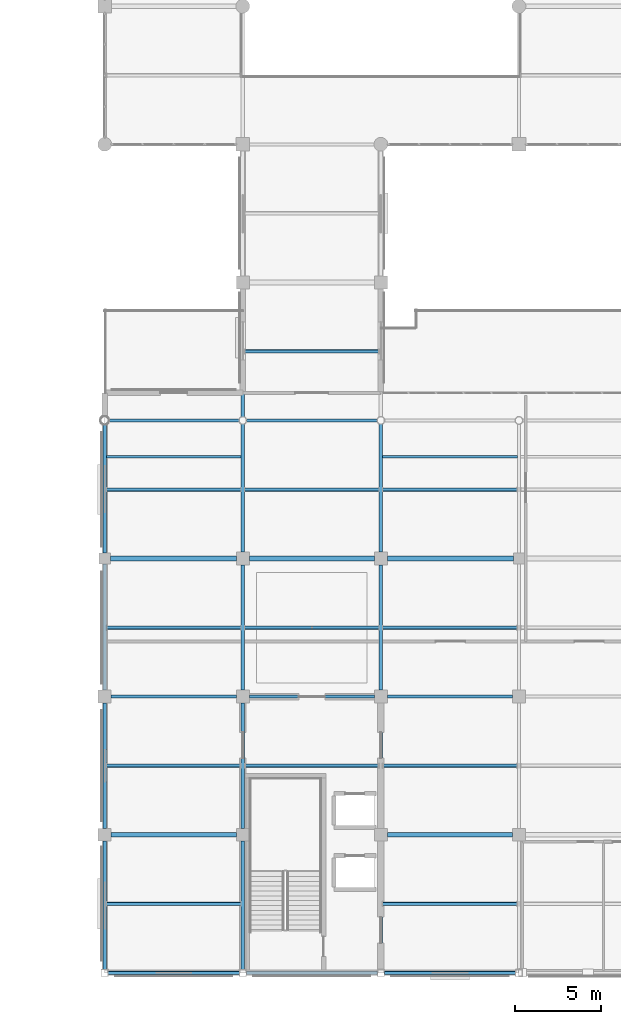
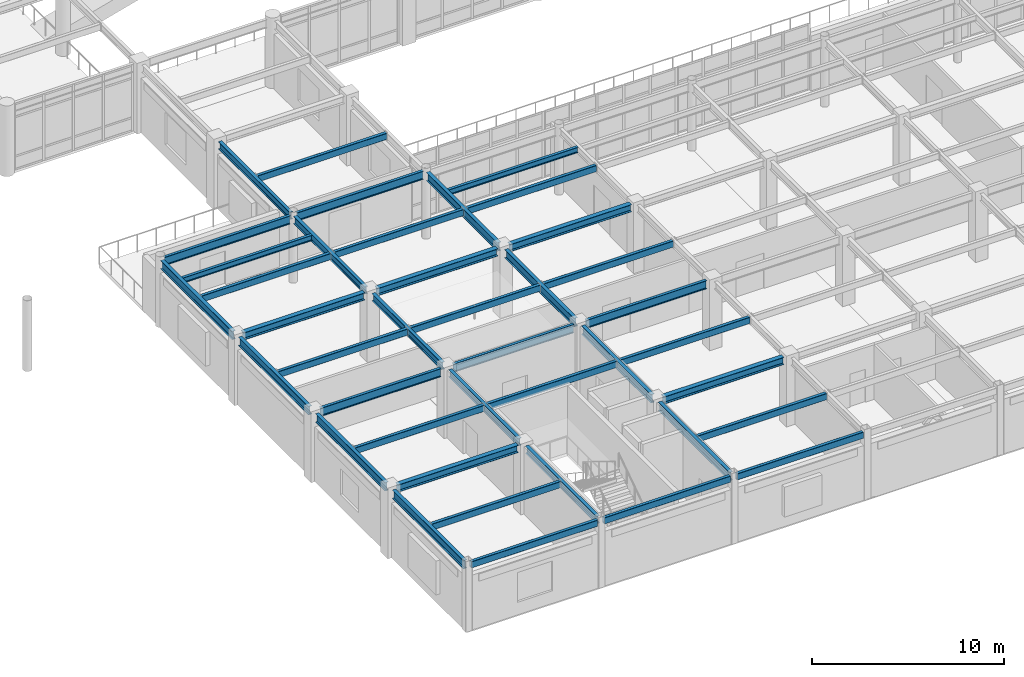
# One storey, part 17 of 93: 40 beams.
"""IFC4 building model written with IfcOpenShell, lengths in metres."""

from ifc_helpers import new_model, si_unit, direction, frame, origin, origin_2d, place, context, subcontext, project, spatial, hollow_rectangle, i_section, extrude, material, material_profile, profile_set, type_object, element, save


model = new_model("IFC4")

# Units and contexts
model_context = context("Model", 3, precision=1e-05, world=origin(), true_north=direction((0.0, 1.0)))
body_context = subcontext(model_context, "Body", "Model", "MODEL_VIEW")
ifc_project = project(units=[si_unit("LENGTHUNIT", "METRE"), si_unit("AREAUNIT", "SQUARE_METRE"), si_unit("VOLUMEUNIT", "CUBIC_METRE"), si_unit("PLANEANGLEUNIT", "RADIAN"), si_unit("MASSUNIT", "GRAM", prefix="KILO")], contexts=[model_context])

# Site, building, storey
site_placement = place(None, origin())
site = spatial("IfcSite", under=ifc_project, at=site_placement, CompositionType="ELEMENT")
building_placement = place(site_placement, origin())
building = spatial("IfcBuilding", under=site, at=building_placement, Name="Solmirada Galleria", CompositionType="ELEMENT")
storey_placement = place(building_placement, frame((0.0, 0.0, 14.89990234375)))
storey = spatial("IfcBuildingStorey", under=building, at=storey_placement, Name="L03", CompositionType="ELEMENT", Elevation=14.89990234375)

# Beams
ifc_material_1 = material(Name="Steel S355 / ASTM A992 Grade 50", Category="steel")
ifc_material_profile_1 = material_profile(ifc_material_1, i_section(OverallWidth=0.281982421875, OverallDepth=0.467041015625, WebThickness=0.01220703125, FlangeThickness=0.01953125, FilletRadius=0.013916015625, at=origin_2d()), Name="W18X86")
ifc_profile_set_1 = profile_set([ifc_material_profile_1], Name="Steel S355 / ASTM A992 Grade 50")
beam_type_1 = type_object("IfcBeamType", Name="BM-GIRD-W18A", PredefinedType="BEAM", material=ifc_profile_set_1)
beam_1_placement = place(storey_placement, frame((80.375, 8.0, 4.066650390625), z_axis=(1.0, 0.0, 0.0), x_axis=(0.0, 1.0, 0.0)))
element("IfcBeam", 1, at=beam_1_placement, inside=storey, type_object=beam_type_1, Name="Primary beam L04 X(80..88, 8)", PredefinedType="BEAM", context=body_context, shape_type="SweptSolid", body=[
    extrude(i_section(OverallWidth=0.281982421875, OverallDepth=0.467041015625, WebThickness=0.01220703125, FlangeThickness=0.01953125, FilletRadius=0.013916015625, at=origin_2d()), origin(), (0.0, 0.0, 1.0), 7.25),
])
beam_2_placement = place(storey_placement, frame((80.324951171875, 24.0, 4.066650390625), z_axis=(1.0, 0.0, 0.0), x_axis=(0.0, 1.0, 0.0)))
element("IfcBeam", 2, at=beam_2_placement, inside=storey, type_object=beam_type_1, Name="Primary beam L04 X(80..88, 24)", PredefinedType="BEAM", context=body_context, shape_type="SweptSolid", body=[
    extrude(i_section(OverallWidth=0.281982421875, OverallDepth=0.467041015625, WebThickness=0.01220703125, FlangeThickness=0.01953125, FilletRadius=0.013916015625, at=origin_2d()), origin(), (0.0, 0.0, 1.0), 7.300048828125),
])
for number, where, z_axis, x_axis, name in (
    (3, (88.375, 24.0, 4.066650390625), (1.0, 0.0, 0.0), (0.0, 1.0, 0.0), "Primary beam L04 X(88..96, 24)"),
    (4, (96.375, 8.0, 4.066650390625), (1.0, 0.0, 0.0), (0.0, 1.0, 0.0), "Primary beam L04 X(96..104, 8)"),
):
    element("IfcBeam", number, at=place(storey_placement, frame(where, z_axis=z_axis, x_axis=x_axis)), inside=storey, type_object=beam_type_1, Name=name, PredefinedType="BEAM", context=body_context, shape_type="SweptSolid", body=[
        extrude(i_section(OverallWidth=0.281982421875, OverallDepth=0.467041015625, WebThickness=0.01220703125, FlangeThickness=0.01953125, FilletRadius=0.013916015625, at=origin_2d()), origin(), (0.0, 0.0, 1.0), 7.25),
    ])
beam_3_placement = place(storey_placement, frame((96.375, 24.0, 4.066650390625), z_axis=(1.0, 0.0, 0.0), x_axis=(0.0, 1.0, 0.0)))
element("IfcBeam", 5, at=beam_3_placement, inside=storey, type_object=beam_type_1, Name="Primary beam L04 X(96..104, 24)", PredefinedType="BEAM", context=body_context, shape_type="SweptSolid", body=[
    extrude(i_section(OverallWidth=0.281982421875, OverallDepth=0.467041015625, WebThickness=0.01220703125, FlangeThickness=0.01953125, FilletRadius=0.013916015625, at=origin_2d()), origin(), (0.0, 0.0, 1.0), 7.300048828125),
])
ifc_material_profile_2 = material_profile(ifc_material_1, i_section(OverallWidth=0.194091796875, OverallDepth=0.468994140625, WebThickness=0.0126953125, FlangeThickness=0.0205078125, FilletRadius=0.013916015625, at=origin_2d()), Name="W18X71")
ifc_profile_set_2 = profile_set([ifc_material_profile_2], Name="Steel S355 / ASTM A992 Grade 50")
beam_type_2 = type_object("IfcBeamType", Name="BM-GIRD-W18B", PredefinedType="BEAM", material=ifc_profile_set_2)
beam_4_placement = place(storey_placement, frame((88.0, 0.202880859375, 4.065673828125), z_axis=(0.0, 1.0, 0.0), x_axis=(-1.0, 0.0, 0.0)))
element("IfcBeam", 6, at=beam_4_placement, inside=storey, type_object=beam_type_2, Name="Primary girder L04 Y(88, 0..8)", PredefinedType="BEAM", context=body_context, shape_type="SweptSolid", body=[
    extrude(i_section(OverallWidth=0.194091796875, OverallDepth=0.468994140625, WebThickness=0.0126953125, FlangeThickness=0.0205078125, FilletRadius=0.013916015625, at=origin_2d()), origin(), (0.0, 0.0, 1.0), 7.422119140625),
])
for number, where, z_axis, x_axis, name in (
    (7, (88.0, 8.375, 4.065673828125), (0.0, 1.0, 0.0), (-1.0, 0.0, 0.0), "Primary girder L04 Y(88, 8..16)"),
    (8, (88.0, 16.375, 4.065673828125), (0.0, 1.0, 0.0), (-1.0, 0.0, 0.0), "Primary girder L04 Y(88, 16..24)"),
):
    element("IfcBeam", number, at=place(storey_placement, frame(where, z_axis=z_axis, x_axis=x_axis)), inside=storey, type_object=beam_type_2, Name=name, PredefinedType="BEAM", context=body_context, shape_type="SweptSolid", body=[
        extrude(i_section(OverallWidth=0.194091796875, OverallDepth=0.468994140625, WebThickness=0.0126953125, FlangeThickness=0.0205078125, FilletRadius=0.013916015625, at=origin_2d()), origin(), (0.0, 0.0, 1.0), 7.25),
    ])
for number, where, z_axis, x_axis, name in (
    (9, (88.0, 24.375, 4.025634765625), (0.0, 1.0, 0.0), (-1.0, 0.0, 0.0), "Primary girder L04 Y(88, 24..32)"),
    (10, (88.0, 32.19189453125, 4.025634765625), (0.0, 1.0, 0.0), (-1.0, 0.0, 0.0), "Primary girder L04 Y(88, 32..40)"),
):
    element("IfcBeam", number, at=place(storey_placement, frame(where, z_axis=z_axis, x_axis=x_axis)), inside=storey, type_object=beam_type_2, Name=name, PredefinedType="BEAM", context=body_context, shape_type="SweptSolid", body=[
        extrude(i_section(OverallWidth=0.194091796875, OverallDepth=0.468994140625, WebThickness=0.0126953125, FlangeThickness=0.0205078125, FilletRadius=0.013916015625, at=origin_2d()), origin(), (0.0, 0.0, 1.0), 7.43310546875),
    ])
ifc_material_profile_3 = material_profile(ifc_material_1, i_section(OverallWidth=0.2099609375, OverallDepth=0.537109375, WebThickness=0.010986328125, FlangeThickness=0.017333984375, FilletRadius=0.014892578125, at=origin_2d()), Name="W21X68")
ifc_profile_set_3 = profile_set([ifc_material_profile_3], Name="Steel S355 / ASTM A992 Grade 50")
beam_type_3 = type_object("IfcBeamType", Name="BM-GIRD-W21B", PredefinedType="BEAM", material=ifc_profile_set_3)
beam_5_placement = place(storey_placement, frame((80.0, 0.202880859375, 4.031494140625), z_axis=(0.0, 1.0, 0.0), x_axis=(-1.0, 0.0, 0.0)))
element("IfcBeam", 11, at=beam_5_placement, inside=storey, type_object=beam_type_3, Name="Primary girder L04 Y(80, 0..8)", PredefinedType="BEAM", context=body_context, shape_type="SweptSolid", body=[
    extrude(i_section(OverallWidth=0.2099609375, OverallDepth=0.537109375, WebThickness=0.010986328125, FlangeThickness=0.017333984375, FilletRadius=0.014892578125, at=origin_2d()), origin(), (0.0, 0.0, 1.0), 7.422119140625),
])
beam_6_placement = place(storey_placement, frame((80.0, 8.375, 4.031494140625), z_axis=(0.0, 1.0, 0.0), x_axis=(-1.0, 0.0, 0.0)))
element("IfcBeam", 12, at=beam_6_placement, inside=storey, type_object=beam_type_3, Name="Primary girder L04 Y(80, 8..16)", PredefinedType="BEAM", context=body_context, shape_type="SweptSolid", body=[
    extrude(i_section(OverallWidth=0.2099609375, OverallDepth=0.537109375, WebThickness=0.010986328125, FlangeThickness=0.017333984375, FilletRadius=0.014892578125, at=origin_2d()), origin(), (0.0, 0.0, 1.0), 7.25),
])
beam_7_placement = place(storey_placement, frame((80.0, 16.375, 4.031494140625), z_axis=(0.0, 1.0, 0.0), x_axis=(-1.0, 0.0, 0.0)))
element("IfcBeam", 13, at=beam_7_placement, inside=storey, type_object=beam_type_3, Name="Primary girder L04 Y(80, 16..24)", PredefinedType="BEAM", context=body_context, shape_type="SweptSolid", body=[
    extrude(i_section(OverallWidth=0.2099609375, OverallDepth=0.537109375, WebThickness=0.010986328125, FlangeThickness=0.017333984375, FilletRadius=0.014892578125, at=origin_2d()), origin(), (0.0, 0.0, 1.0), 7.300048828125),
])
beam_8_placement = place(storey_placement, frame((80.0, 24.324951171875, 3.99169921875), z_axis=(0.0, 1.0, 0.0), x_axis=(-1.0, 0.0, 0.0)))
element("IfcBeam", 14, at=beam_8_placement, inside=storey, type_object=beam_type_3, Name="Primary girder L04 Y(80, 24..32)", PredefinedType="BEAM", context=body_context, shape_type="SweptSolid", body=[
    extrude(i_section(OverallWidth=0.2099609375, OverallDepth=0.537109375, WebThickness=0.010986328125, FlangeThickness=0.017333984375, FilletRadius=0.014892578125, at=origin_2d()), origin(), (0.0, 0.0, 1.0), 7.461669921875),
])
beam_9_placement = place(storey_placement, frame((96.0, 0.202880859375, 4.031494140625), z_axis=(0.0, 1.0, 0.0), x_axis=(-1.0, 0.0, 0.0)))
element("IfcBeam", 15, at=beam_9_placement, inside=storey, type_object=beam_type_3, Name="Primary girder L04 Y(96, 0..8)", PredefinedType="BEAM", context=body_context, shape_type="SweptSolid", body=[
    extrude(i_section(OverallWidth=0.2099609375, OverallDepth=0.537109375, WebThickness=0.010986328125, FlangeThickness=0.017333984375, FilletRadius=0.014892578125, at=origin_2d()), origin(), (0.0, 0.0, 1.0), 7.422119140625),
])
for number, where, z_axis, x_axis, name in (
    (16, (96.0, 8.375, 4.031494140625), (0.0, 1.0, 0.0), (-1.0, 0.0, 0.0), "Primary girder L04 Y(96, 8..16)"),
    (17, (96.0, 16.375, 4.031494140625), (0.0, 1.0, 0.0), (-1.0, 0.0, 0.0), "Primary girder L04 Y(96, 16..24)"),
):
    element("IfcBeam", number, at=place(storey_placement, frame(where, z_axis=z_axis, x_axis=x_axis)), inside=storey, type_object=beam_type_3, Name=name, PredefinedType="BEAM", context=body_context, shape_type="SweptSolid", body=[
        extrude(i_section(OverallWidth=0.2099609375, OverallDepth=0.537109375, WebThickness=0.010986328125, FlangeThickness=0.017333984375, FilletRadius=0.014892578125, at=origin_2d()), origin(), (0.0, 0.0, 1.0), 7.25),
    ])
beam_10_placement = place(storey_placement, frame((96.0, 24.375, 3.99169921875), z_axis=(0.0, 1.0, 0.0), x_axis=(-1.0, 0.0, 0.0)))
element("IfcBeam", 18, at=beam_10_placement, inside=storey, type_object=beam_type_3, Name="Primary girder L04 Y(96, 24..32)", PredefinedType="BEAM", context=body_context, shape_type="SweptSolid", body=[
    extrude(i_section(OverallWidth=0.2099609375, OverallDepth=0.537109375, WebThickness=0.010986328125, FlangeThickness=0.017333984375, FilletRadius=0.014892578125, at=origin_2d()), origin(), (0.0, 0.0, 1.0), 7.43310546875),
])
ifc_material_profile_4 = material_profile(ifc_material_1, i_section(OverallWidth=0.1669921875, OverallDepth=0.534912109375, WebThickness=0.01025390625, FlangeThickness=0.0166015625, FilletRadius=0.013916015625, at=origin_2d()), Name="W21X57")
ifc_profile_set_4 = profile_set([ifc_material_profile_4], Name="Steel S355 / ASTM A992 Grade 50")
beam_type_4 = type_object("IfcBeamType", Name="BM-GIRD-W21C", PredefinedType="BEAM", material=ifc_profile_set_4)
beam_11_placement = place(storey_placement, frame((80.375, 16.0, 4.03271484375), z_axis=(1.0, 0.0, 0.0), x_axis=(0.0, 1.0, 0.0)))
element("IfcBeam", 19, at=beam_11_placement, inside=storey, type_object=beam_type_4, Name="Primary beam L04 X(80..88, 16)", PredefinedType="BEAM", context=body_context, shape_type="SweptSolid", body=[
    extrude(i_section(OverallWidth=0.1669921875, OverallDepth=0.534912109375, WebThickness=0.01025390625, FlangeThickness=0.0166015625, FilletRadius=0.013916015625, at=origin_2d()), origin(), (0.0, 0.0, 1.0), 7.25),
])
beam_12_placement = place(storey_placement, frame((80.21337890625, 32.0, 3.99267578125), z_axis=(1.0, 0.0, 0.0), x_axis=(0.0, 1.0, 0.0)))
element("IfcBeam", 20, at=beam_12_placement, inside=storey, type_object=beam_type_4, Name="Primary beam L04 X(80..88, 32)", PredefinedType="BEAM", context=body_context, shape_type="SweptSolid", body=[
    extrude(i_section(OverallWidth=0.1669921875, OverallDepth=0.534912109375, WebThickness=0.01025390625, FlangeThickness=0.0166015625, FilletRadius=0.013916015625, at=origin_2d()), origin(), (0.0, 0.0, 1.0), 7.5947265625),
])
beam_13_placement = place(storey_placement, frame((88.375, 16.0, 4.03271484375), z_axis=(1.0, 0.0, 0.0), x_axis=(0.0, 1.0, 0.0)))
element("IfcBeam", 21, at=beam_13_placement, inside=storey, type_object=beam_type_4, Name="Primary beam L04 X(88..96, 16)", PredefinedType="BEAM", context=body_context, shape_type="SweptSolid", body=[
    extrude(i_section(OverallWidth=0.1669921875, OverallDepth=0.534912109375, WebThickness=0.01025390625, FlangeThickness=0.0166015625, FilletRadius=0.013916015625, at=origin_2d()), origin(), (0.0, 0.0, 1.0), 7.25),
])
beam_14_placement = place(storey_placement, frame((88.19189453125, 32.0, 4.03271484375), z_axis=(1.0, 0.0, 0.0), x_axis=(0.0, 1.0, 0.0)))
element("IfcBeam", 22, at=beam_14_placement, inside=storey, type_object=beam_type_4, Name="Primary beam L04 X(88..96, 32)", PredefinedType="BEAM", context=body_context, shape_type="SweptSolid", body=[
    extrude(i_section(OverallWidth=0.1669921875, OverallDepth=0.534912109375, WebThickness=0.01025390625, FlangeThickness=0.0166015625, FilletRadius=0.013916015625, at=origin_2d()), origin(), (0.0, 0.0, 1.0), 7.6162109375),
])
beam_15_placement = place(storey_placement, frame((96.375, 16.0, 4.03271484375), z_axis=(1.0, 0.0, 0.0), x_axis=(0.0, 1.0, 0.0)))
element("IfcBeam", 23, at=beam_15_placement, inside=storey, type_object=beam_type_4, Name="Primary beam L04 X(96..104, 16)", PredefinedType="BEAM", context=body_context, shape_type="SweptSolid", body=[
    extrude(i_section(OverallWidth=0.1669921875, OverallDepth=0.534912109375, WebThickness=0.01025390625, FlangeThickness=0.0166015625, FilletRadius=0.013916015625, at=origin_2d()), origin(), (0.0, 0.0, 1.0), 7.25),
])
ifc_material_profile_5 = material_profile(ifc_material_1, i_section(OverallWidth=0.1708984375, OverallDepth=0.35205078125, WebThickness=0.0068359375, FlangeThickness=0.009765625, FilletRadius=0.010986328125, at=origin_2d()), Name="W14X30")
ifc_profile_set_5 = profile_set([ifc_material_profile_5], Name="Steel S355 / ASTM A992 Grade 50")
beam_type_5 = type_object("IfcBeamType", Name="BM-JST-W14B", PredefinedType="JOIST", material=ifc_profile_set_5)
for number, where, z_axis, x_axis, name in (
    (24, (80.10498046875, 29.89990234375, 4.083984375), (1.0, 0.0, 0.0), (0.0, 1.0, 0.0), "Terrace deck joist L04-TERR-SW X=80..88 (1)"),
    (25, (96.10498046875, 29.89990234375, 4.083984375), (1.0, 0.0, 0.0), (0.0, 1.0, 0.0), "Terrace deck joist L04-TERR-SE X=96..104 (1)"),
):
    element("IfcBeam", number, at=place(storey_placement, frame(where, z_axis=z_axis, x_axis=x_axis)), inside=storey, type_object=beam_type_5, Name=name, PredefinedType="JOIST", context=body_context, shape_type="SweptSolid", body=[
        extrude(i_section(OverallWidth=0.1708984375, OverallDepth=0.35205078125, WebThickness=0.0068359375, FlangeThickness=0.009765625, FilletRadius=0.010986328125, at=origin_2d()), origin(), (0.0, 0.0, 1.0), 7.798095703125),
    ])
ifc_material_2 = material(Name="Steel S355 / ASTM A500 Grade C", Category="steel")
ifc_material_profile_6 = material_profile(ifc_material_2, hollow_rectangle(XDim=0.202880859375, YDim=0.406005859375, WallThickness=0.01171875, InnerFilletRadius=0.01171875, OuterFilletRadius=0.023681640625, at=origin_2d()), Name="HSS16X8X1/2")
ifc_profile_set_6 = profile_set([ifc_material_profile_6], Name="Steel S355 / ASTM A500 Grade C")
beam_type_6 = type_object("IfcBeamType", Name="BM-JST-W16B", PredefinedType="JOIST", material=ifc_profile_set_6)
for number, where, z_axis, x_axis, name in (
    (26, (80.10498046875, 4.0, 4.09716796875), (1.0, 0.0, 0.0), (0.0, 1.0, 0.0), "Composite floor joist L04 (80..88, 4.0)"),
    (27, (80.10498046875, 12.0, 4.09716796875), (1.0, 0.0, 0.0), (0.0, 1.0, 0.0), "Composite floor joist L04 (80..88, 12.0)"),
    (28, (80.10498046875, 20.0, 4.09716796875), (1.0, 0.0, 0.0), (0.0, 1.0, 0.0), "Composite floor joist L04 (80..88, 20.0)"),
    (29, (80.10498046875, 28.0, 4.05712890625), (1.0, 0.0, 0.0), (0.0, 1.0, 0.0), "Composite floor joist L04 (80..88, 28.0)"),
    (30, (88.096923828125, 12.0, 4.09716796875), (1.0, 0.0, 0.0), (0.0, 1.0, 0.0), "Composite floor joist L04 (88..96, 12.0)"),
    (31, (88.096923828125, 20.0, 4.09716796875), (1.0, 0.0, 0.0), (0.0, 1.0, 0.0), "Composite floor joist L04 (88..96, 20.0)"),
    (32, (88.096923828125, 28.0, 4.05712890625), (1.0, 0.0, 0.0), (0.0, 1.0, 0.0), "Composite floor joist L04 (88..96, 28.0)"),
    (33, (88.096923828125, 36.0, 4.05712890625), (1.0, 0.0, 0.0), (0.0, 1.0, 0.0), "Composite floor joist L04 (88..96, 36.0)"),
    (34, (96.10498046875, 4.0, 4.09716796875), (1.0, 0.0, 0.0), (0.0, 1.0, 0.0), "Composite floor joist L04 (96..104, 4.0)"),
    (35, (96.10498046875, 12.0, 4.09716796875), (1.0, 0.0, 0.0), (0.0, 1.0, 0.0), "Composite floor joist L04 (96..104, 12.0)"),
    (36, (96.10498046875, 20.0, 4.09716796875), (1.0, 0.0, 0.0), (0.0, 1.0, 0.0), "Composite floor joist L04 (96..104, 20.0)"),
    (37, (96.10498046875, 28.0, 4.05712890625), (1.0, 0.0, 0.0), (0.0, 1.0, 0.0), "Composite floor joist L04 (96..104, 28.0)"),
):
    element("IfcBeam", number, at=place(storey_placement, frame(where, z_axis=z_axis, x_axis=x_axis)), inside=storey, type_object=beam_type_6, Name=name, PredefinedType="JOIST", context=body_context, shape_type="SweptSolid", body=[
        extrude(hollow_rectangle(XDim=0.202880859375, YDim=0.406005859375, WallThickness=0.01171875, InnerFilletRadius=0.01171875, OuterFilletRadius=0.023681640625, at=origin_2d()), origin(), (0.0, 0.0, 1.0), 7.798095703125),
    ])
ifc_material_profile_7 = material_profile(ifc_material_2, hollow_rectangle(XDim=0.202880859375, YDim=0.406005859375, WallThickness=0.01171875, InnerFilletRadius=0.01171875, OuterFilletRadius=0.023681640625, at=origin_2d()), Name="HSS16X8X1/2")
ifc_profile_set_7 = profile_set([ifc_material_profile_7], Name="Steel S355 / ASTM A500 Grade C")
beam_type_7 = type_object("IfcBeamType", Name="BM-SPAND-W16A", PredefinedType="SPANDREL", material=ifc_profile_set_7)
for number, where, z_axis, x_axis, name in (
    (38, (80.202880859375, 0.0, 4.09716796875), (1.0, 0.0, 0.0), (0.0, 1.0, 0.0), "Primary beam L04 X(80..88, 0)"),
    (39, (88.202880859375, 0.0, 4.09716796875), (1.0, 0.0, 0.0), (0.0, 1.0, 0.0), "Primary beam L04 X(88..96, 0)"),
    (40, (96.202880859375, 0.0, 4.09716796875), (1.0, 0.0, 0.0), (0.0, 1.0, 0.0), "Primary beam L04 X(96..104, 0)"),
):
    element("IfcBeam", number, at=place(storey_placement, frame(where, z_axis=z_axis, x_axis=x_axis)), inside=storey, type_object=beam_type_7, Name=name, PredefinedType="SPANDREL", context=body_context, shape_type="SweptSolid", body=[
        extrude(hollow_rectangle(XDim=0.202880859375, YDim=0.406005859375, WallThickness=0.01171875, InnerFilletRadius=0.01171875, OuterFilletRadius=0.023681640625, at=origin_2d()), origin(), (0.0, 0.0, 1.0), 7.59423828125),
    ])

save(model, "model.ifc")
